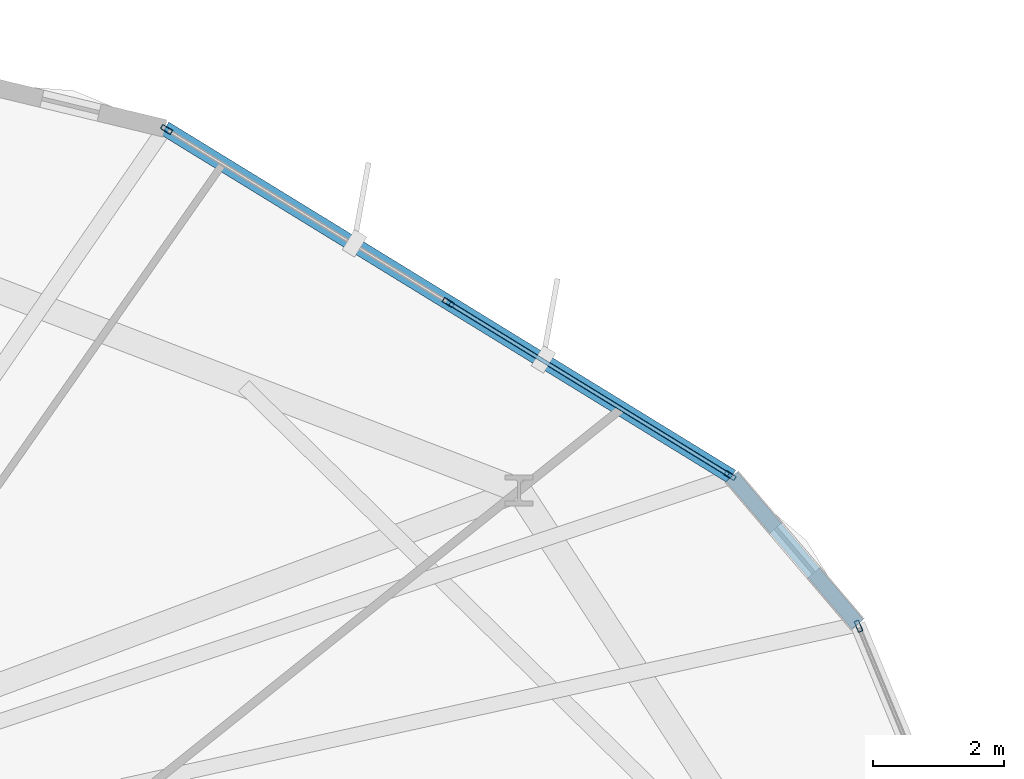
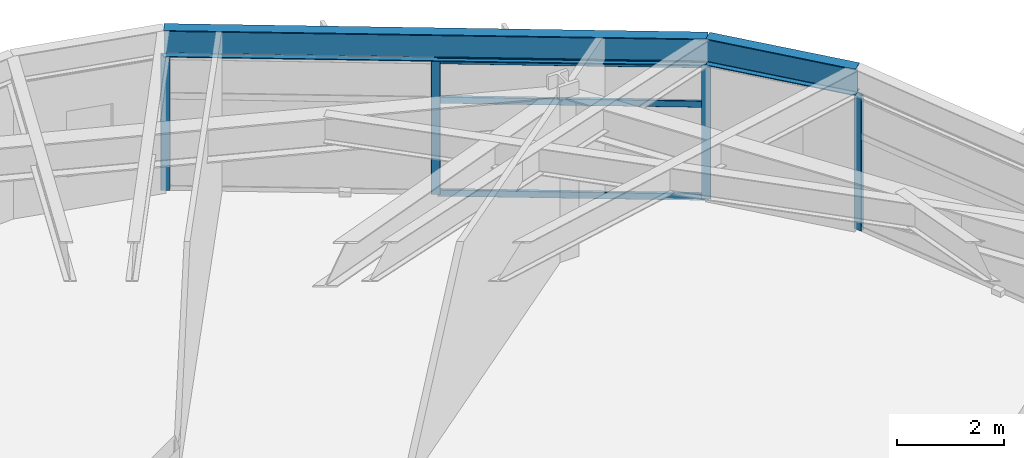
# One storey, part 14 of 22: 7 members, 2 beams, 2 elements without a shape of their own.
"""IFC4 building model written with IfcOpenShell, lengths in metres."""

from ifc_helpers import new_model, si_unit, direction, frame, origin, origin_2d, place, context, subcontext, project, spatial, hollow_rectangle, i_section, extrude, material, layer, layer_set, material_profile, profile_set, type_object, element, aggregate, save


model = new_model("IFC4")

# Units and contexts
model_context = context("Model", 3, precision=1e-05, world=origin(), true_north=direction((0.0, 1.0)))
body_context = subcontext(model_context, "Body", "Model", "MODEL_VIEW")
ifc_project = project(units=[si_unit("LENGTHUNIT", "METRE"), si_unit("AREAUNIT", "SQUARE_METRE"), si_unit("VOLUMEUNIT", "CUBIC_METRE"), si_unit("PLANEANGLEUNIT", "RADIAN"), si_unit("MASSUNIT", "GRAM", prefix="KILO")], contexts=[model_context])

# Site, building, storey
site_placement = place(None, origin())
site = spatial("IfcSite", under=ifc_project, at=site_placement, CompositionType="ELEMENT")
building_placement = place(site_placement, origin())
building = spatial("IfcBuilding", under=site, at=building_placement, Name="Soratama Intermodal Tower", CompositionType="ELEMENT")
storey_placement = place(building_placement, frame((0.0, 0.0, 50.60009765625)))
storey = spatial("IfcBuildingStorey", under=building, at=storey_placement, Name="L11", CompositionType="ELEMENT", Elevation=50.60009765625)

# Beams
ifc_material_1 = material(Name="Structural steel ASTM A992 Grade 50", Category="steel")
ifc_material_profile_1 = material_profile(ifc_material_1, i_section(OverallWidth=0.22900390625, OverallDepth=0.612060546875, WebThickness=0.011962890625, FlangeThickness=0.01953125, FilletRadius=0.012939453125, at=origin_2d()), Name="W24X84")
ifc_profile_set_1 = profile_set([ifc_material_profile_1], Name="Structural steel ASTM A992 Grade 50")
beam_type = type_object("IfcBeamType", Name="BM-SPN-W24X84", PredefinedType="SPANDREL", material=ifc_profile_set_1)
beam_1_placement = place(storey_placement, frame((61.955078125, 37.5009765625, 3.393798828125), z_axis=(-0.648763078542, 0.760990451925, 0.0), x_axis=(-0.760990451925, -0.648763078542, 0.0)))
element("IfcBeam", 1, at=beam_1_placement, inside=storey, type_object=beam_type, Name="BS-L11-CRN01", PredefinedType="SPANDREL", context=body_context, shape_type="SweptSolid", body=[
    extrude(i_section(OverallWidth=0.22900390625, OverallDepth=0.612060546875, WebThickness=0.011962890625, FlangeThickness=0.01953125, FilletRadius=0.012939453125, at=origin_2d()), origin(), (0.0, 0.0, 1.0), 2.96728515625),
])
beam_2_placement = place(storey_placement, frame((60.030029296875, 39.759033203125, 3.393798828125), z_axis=(-0.852090983028, 0.523393691825, 0.0), x_axis=(-0.523393691825, -0.852090983028, 0.0)))
element("IfcBeam", 2, at=beam_2_placement, inside=storey, type_object=beam_type, Name="BS-L11-F02", PredefinedType="SPANDREL", context=body_context, shape_type="SweptSolid", body=[
    extrude(i_section(OverallWidth=0.22900390625, OverallDepth=0.612060546875, WebThickness=0.011962890625, FlangeThickness=0.01953125, FilletRadius=0.012939453125, at=origin_2d()), origin(), (0.0, 0.0, 1.0), 10.16455078125),
])

# Curtain wall, member
ifc_material_2 = material(Name="Double-glazed aluminium curtain wall", Category="aluminium")
ifc_layer = layer(ifc_material_2, 0.159912109375)
ifc_layer_set = layer_set([ifc_layer], Name="Double-glazed aluminium curtain wall")
curtain_wall_type = type_object("IfcCurtainWallType", Name="CW-SYS-2", PredefinedType="NOTDEFINED", material=ifc_layer_set)
curtain_wall_1_placement = place(storey_placement, origin())
curtain_wall_1 = element("IfcCurtainWall", 3, at=curtain_wall_1_placement, inside=storey, type_object=curtain_wall_type, Name="L11 Faceted Curtain Wall F01", PredefinedType="NOTDEFINED")
ifc_material_3 = material(Name="Anodised aluminium AA 6063-T6", Category="aluminium")
ifc_material_profile_2 = material_profile(ifc_material_3, hollow_rectangle(XDim=0.074951171875, YDim=0.179931640625, WallThickness=0.006103515625, InnerFilletRadius=0.006103515625, OuterFilletRadius=0.011962890625, at=origin_2d()), Name="CWM180X75X6")
ifc_profile_set_2 = profile_set([ifc_material_profile_2], Name="Anodised aluminium AA 6063-T6")
member_type_1 = type_object("IfcMemberType", Name="MT-CWM-2", PredefinedType="MULLION", material=ifc_profile_set_2)
member_1_placement = place(storey_placement, frame((61.966064453125, 37.473388671875, 0.0), z_axis=(0.0, 0.0, 1.0), x_axis=(-0.924277045689, -0.381722337323, 0.0)))
member_1 = element("IfcMember", 4, at=member_1_placement, type_object=member_type_1, Name="CW-2 mullion 3", PredefinedType="MULLION", context=body_context, shape_type="SweptSolid", body=[
    extrude(hollow_rectangle(XDim=0.074951171875, YDim=0.179931640625, WallThickness=0.006103515625, InnerFilletRadius=0.006103515625, OuterFilletRadius=0.011962890625, at=origin_2d()), origin(), (0.0, 0.0, 1.0), 3.078857421875),
])
aggregate(curtain_wall_1, [member_1])

# Curtain wall, members
curtain_wall_2_placement = place(storey_placement, origin())
curtain_wall_2 = element("IfcCurtainWall", 5, at=curtain_wall_2_placement, inside=storey, type_object=curtain_wall_type, Name="L11 Faceted Curtain Wall F02", PredefinedType="NOTDEFINED")
member_2_placement = place(storey_placement, frame((60.0048828125, 39.774658203125, 0.0), z_axis=(0.0, 0.0, 1.0), x_axis=(-0.523385352641, -0.852096105285, 0.0)))
member_2 = element("IfcMember", 6, at=member_2_placement, type_object=member_type_1, Name="CW-2 mullion 1", PredefinedType="MULLION", context=body_context, shape_type="SweptSolid", body=[
    extrude(hollow_rectangle(XDim=0.074951171875, YDim=0.179931640625, WallThickness=0.006103515625, InnerFilletRadius=0.006103515625, OuterFilletRadius=0.011962890625, at=origin_2d()), origin(), (0.0, 0.0, 1.0), 3.078857421875),
])
member_3_placement = place(storey_placement, frame((55.699462890625, 42.4189453125, 0.0), z_axis=(0.0, 0.0, 1.0), x_axis=(-0.523385352641, -0.852096105285, 0.0)))
member_3 = element("IfcMember", 7, at=member_3_placement, type_object=member_type_1, Name="CW-2 mullion 2", PredefinedType="MULLION", context=body_context, shape_type="SweptSolid", body=[
    extrude(hollow_rectangle(XDim=0.074951171875, YDim=0.179931640625, WallThickness=0.006103515625, InnerFilletRadius=0.006103515625, OuterFilletRadius=0.011962890625, at=origin_2d()), origin(), (0.0, 0.0, 1.0), 3.078857421875),
])
member_4_placement = place(storey_placement, frame((51.394287109375, 45.0634765625, 0.0), z_axis=(0.0, 0.0, 1.0), x_axis=(-0.523385352641, -0.852096105285, 0.0)))
member_4 = element("IfcMember", 8, at=member_4_placement, type_object=member_type_1, Name="CW-2 mullion 3", PredefinedType="MULLION", context=body_context, shape_type="SweptSolid", body=[
    extrude(hollow_rectangle(XDim=0.074951171875, YDim=0.179931640625, WallThickness=0.006103515625, InnerFilletRadius=0.006103515625, OuterFilletRadius=0.011962890625, at=origin_2d()), origin(), (0.0, 0.0, 1.0), 3.078857421875),
])
ifc_material_4 = material(Name="Anodised aluminium AA 6063-T6", Category="aluminium")
ifc_material_profile_3 = material_profile(ifc_material_4, hollow_rectangle(XDim=0.06494140625, YDim=0.14990234375, WallThickness=0.0048828125, InnerFilletRadius=0.0048828125, OuterFilletRadius=0.010009765625, at=origin_2d()), Name="CWT150X65X5")
ifc_profile_set_3 = profile_set([ifc_material_profile_3], Name="Anodised aluminium AA 6063-T6")
member_type_2 = type_object("IfcMemberType", Name="TT-CWT-1", PredefinedType="USERDEFINED", material=ifc_profile_set_3)
member_5_placement = place(storey_placement, frame((59.979248046875, 39.790283203125, 0.02978515625), z_axis=(-0.852096237219, 0.523385137845, 0.0), x_axis=(-0.523385137845, -0.852096237219, 0.0)))
member_5 = element("IfcMember", 9, at=member_5_placement, type_object=member_type_2, Name="CW-2 transom 1.1", ObjectType="TRANSOM", PredefinedType="USERDEFINED", context=body_context, shape_type="SweptSolid", body=[
    extrude(hollow_rectangle(XDim=0.06494140625, YDim=0.14990234375, WallThickness=0.0048828125, InnerFilletRadius=0.0048828125, OuterFilletRadius=0.010009765625, at=origin_2d()), origin(), (0.0, 0.0, 1.0), 4.99267578125),
])
member_6_placement = place(storey_placement, frame((59.979248046875, 39.790283203125, 2.14990234375), z_axis=(-0.852096237219, 0.523385137845, 0.0), x_axis=(-0.523385137845, -0.852096237219, 0.0)))
member_6 = element("IfcMember", 10, at=member_6_placement, type_object=member_type_2, Name="CW-2 transom 1.2", ObjectType="TRANSOM", PredefinedType="USERDEFINED", context=body_context, shape_type="SweptSolid", body=[
    extrude(hollow_rectangle(XDim=0.06494140625, YDim=0.14990234375, WallThickness=0.0048828125, InnerFilletRadius=0.0048828125, OuterFilletRadius=0.010009765625, at=origin_2d()), origin(), (0.0, 0.0, 1.0), 4.99267578125),
])
member_7_placement = place(storey_placement, frame((59.979248046875, 39.790283203125, 3.048828125), z_axis=(-0.852096237219, 0.523385137845, 0.0), x_axis=(-0.523385137845, -0.852096237219, 0.0)))
member_7 = element("IfcMember", 11, at=member_7_placement, type_object=member_type_2, Name="CW-2 transom 1.3", ObjectType="TRANSOM", PredefinedType="USERDEFINED", context=body_context, shape_type="SweptSolid", body=[
    extrude(hollow_rectangle(XDim=0.06494140625, YDim=0.14990234375, WallThickness=0.0048828125, InnerFilletRadius=0.0048828125, OuterFilletRadius=0.010009765625, at=origin_2d()), origin(), (0.0, 0.0, 1.0), 4.99267578125),
])
aggregate(curtain_wall_2, [member_2, member_3, member_4, member_5, member_6, member_7])

save(model, "model.ifc")
